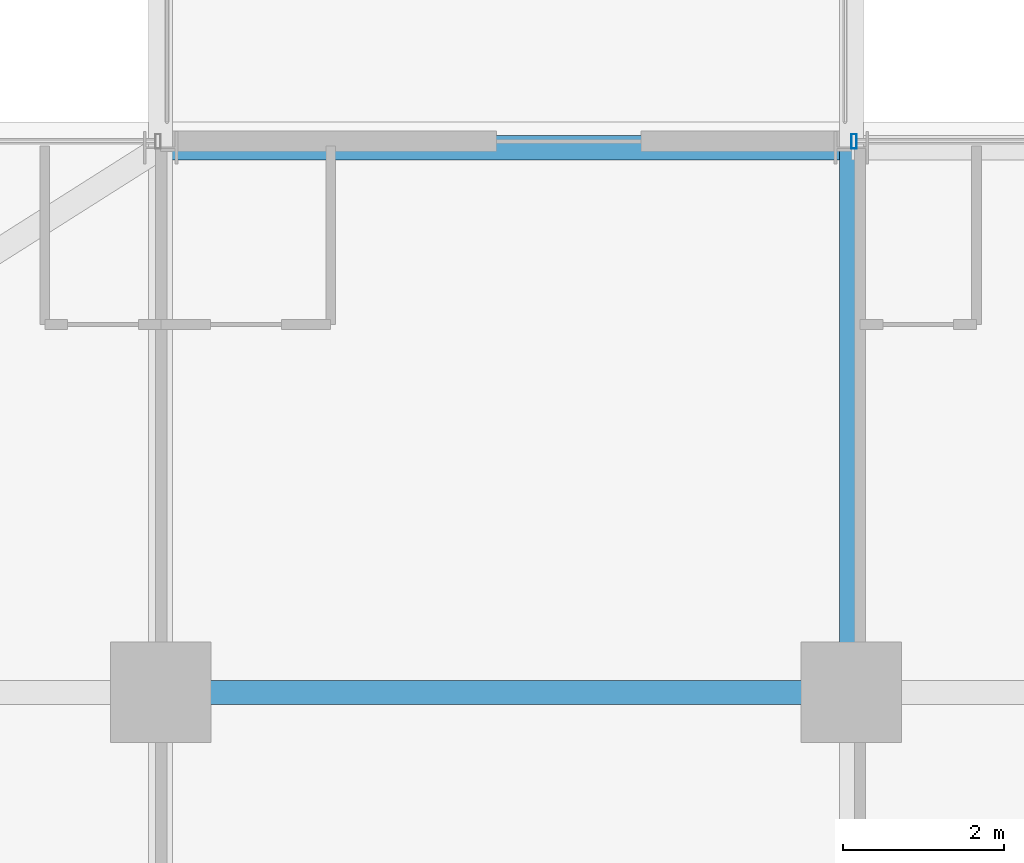
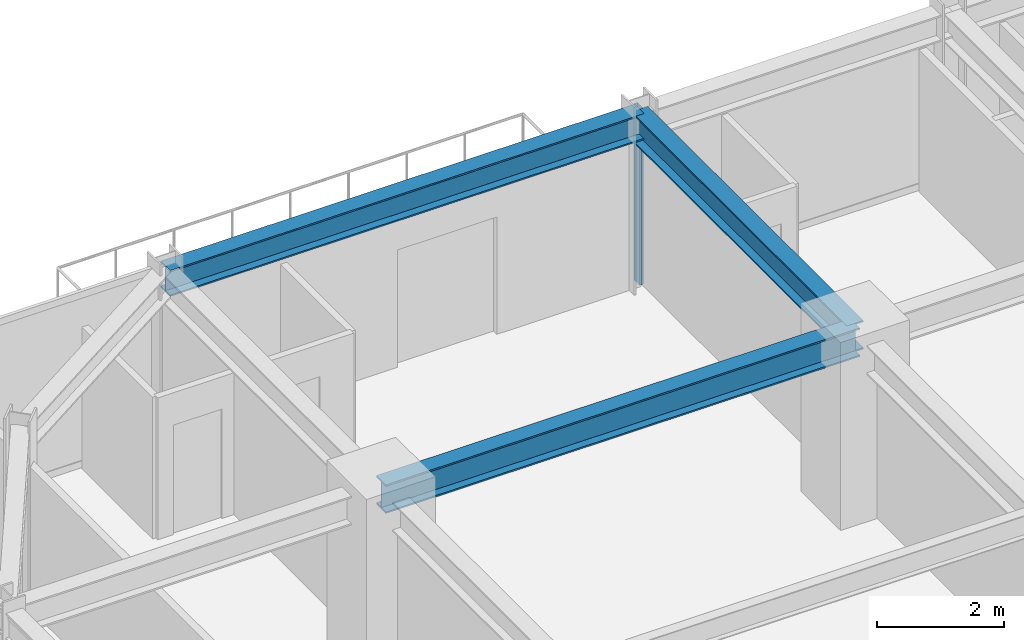
# One storey, part 19 of 34: 3 beams, 1 member, 1 element without a shape of its own.
"""IFC4 building model written with IfcOpenShell, lengths in metres."""

import ifcopenshell
import ifcopenshell.guid

model = None  # the IFC model being written
_history = None  # IfcOwnerHistory: only IFC2X3 demands one
_inside = {}  # id of a spatial element -> (the spatial element, [elements in it])
_under = {}  # id of a project, library or spatial element -> (it, [spatial elements below it])
_declared = {}  # id of a project -> (the project, [libraries it declares])
_typed = {}  # id of a type object -> (the type object, [elements of that type])
_made_of = {}  # id of a material, layer set ... -> (it, [elements and type objects made of it])


def new_model(schema):
    """Start an empty IFC model of exactly this schema.

    Asked for "IFC4X3", IfcOpenShell would pick the latest addendum, in which some entities
    have other attributes; the version numbers below select the first issue.
    IFC2X3 requires an IfcOwnerHistory on every rooted entity: one is made here for all.
    """
    global model, _history
    if schema == "IFC4X3":
        model = ifcopenshell.file(schema_version=(4, 3, 0, 0))
    else:
        model = ifcopenshell.file(schema=schema)
    _inside.clear()
    _under.clear()
    _declared.clear()
    _typed.clear()
    _made_of.clear()
    _history = None
    if model.schema == "IFC2X3":
        org = make("IfcOrganization", Name="unknown")
        user = make(
            "IfcPersonAndOrganization",
            ThePerson=make("IfcPerson", FamilyName="unknown"),
            TheOrganization=org,
        )
        app = make(
            "IfcApplication",
            ApplicationDeveloper=org,
            Version="unknown",
            ApplicationFullName="unknown",
            ApplicationIdentifier="unknown",
        )
        _history = make(
            "IfcOwnerHistory",
            OwningUser=user,
            OwningApplication=app,
            ChangeAction="ADDED",
            CreationDate=0,
        )
    return model


def make(cls, **values):
    """One entity of the class cls with the attributes given. An attribute that is None is left unset."""
    return model.create_entity(
        cls, **{name: value for name, value in values.items() if value is not None}
    )


def rooted(cls, **values):
    """An entity with a GlobalId (a new one), such as an element, a storey or a relation."""
    return make(cls, GlobalId=ifcopenshell.guid.new(), OwnerHistory=_history, **values)


def si_unit(unit_type, name, prefix=None):
    """IfcSIUnit, for example si_unit("LENGTHUNIT", "METRE", prefix="MILLI")."""
    return make("IfcSIUnit", UnitType=unit_type, Prefix=prefix, Name=name)


def assignment(units):
    """IfcUnitAssignment: the units of a project."""
    return None if units is None else make("IfcUnitAssignment", Units=units)


def point(xyz):
    """IfcCartesianPoint."""
    return None if xyz is None else make("IfcCartesianPoint", Coordinates=xyz)


def direction(xyz):
    """IfcDirection."""
    return None if xyz is None else make("IfcDirection", DirectionRatios=xyz)


def frame(location, z_axis=None, x_axis=None):
    """IfcAxis2Placement3D, a coordinate frame: its origin and axes. An axis left out is left unset."""
    return make(
        "IfcAxis2Placement3D",
        Location=point(location),
        Axis=direction(z_axis),
        RefDirection=direction(x_axis),
    )


def frame_2d(location, x_axis=None):
    """IfcAxis2Placement2D, a coordinate frame in the plane: its origin and x axis."""
    return make(
        "IfcAxis2Placement2D", Location=point(location), RefDirection=direction(x_axis)
    )


def origin():
    """The frame at (0, 0, 0) with its axes left unset."""
    return frame((0.0, 0.0, 0.0))


def origin_2d():
    """The frame at (0, 0) in the plane with its x axis left unset."""
    return frame_2d((0.0, 0.0))


def place(relative_to, where):
    """IfcLocalPlacement: puts the frame where relative to a parent placement (None: the world)."""
    return make(
        "IfcLocalPlacement", PlacementRelTo=relative_to, RelativePlacement=where
    )


def context(
    kind, dimensions, precision=None, world=None, true_north=None, identifier=None
):
    """IfcGeometricRepresentationContext, for example the 3D "Model" context."""
    return make(
        "IfcGeometricRepresentationContext",
        ContextIdentifier=identifier,
        ContextType=kind,
        CoordinateSpaceDimension=dimensions,
        Precision=precision,
        WorldCoordinateSystem=world,
        TrueNorth=true_north,
    )


def subcontext(parent, identifier, kind, view, scale=None):
    """IfcGeometricRepresentationSubContext, for example "Body" below "Model"."""
    return make(
        "IfcGeometricRepresentationSubContext",
        ContextIdentifier=identifier,
        ContextType=kind,
        ParentContext=parent,
        TargetScale=scale,
        TargetView=view,
    )


def project(units=None, contexts=None):
    """IfcProject with its units and contexts."""
    return rooted(
        "IfcProject",
        Name="project",
        RepresentationContexts=contexts,
        UnitsInContext=assignment(units),
    )


def spatial(cls, under=None, at=None, **own):
    """A site, building, storey or space (cls), placed at a placement, below another one or the project."""
    s = rooted(cls, ObjectPlacement=at, **own)
    if under is not None:
        _under.setdefault(under.id(), (under, []))[1].append(s)
    return s


def profile(cls, at=None, kind="AREA", **sizes):
    """A parametric profile (cls). Its sizes go by their IFC names, for example OverallWidth=200.0."""
    return make(cls, ProfileType=kind, Position=at, **sizes)


def hollow_rectangle(**sizes):
    """IfcRectangleHollowProfileDef."""
    return profile("IfcRectangleHollowProfileDef", **sizes)


def i_section(**sizes):
    """IfcIShapeProfileDef."""
    return profile("IfcIShapeProfileDef", **sizes)


def extrude(swept, where, along, depth):
    """IfcExtrudedAreaSolid: the profile swept, set in the frame where, extruded along a direction by depth."""
    return make(
        "IfcExtrudedAreaSolid",
        SweptArea=swept,
        Position=where,
        ExtrudedDirection=direction(along),
        Depth=depth,
    )


def shape(context_of_items, identifier, shape_type, items):
    """IfcShapeRepresentation: the items that make up one representation, for example the "Body"."""
    return make(
        "IfcShapeRepresentation",
        ContextOfItems=context_of_items,
        RepresentationIdentifier=identifier,
        RepresentationType=shape_type,
        Items=items,
    )


def source(mapping_origin, context_of_items, identifier, shape_type, items):
    """IfcRepresentationMap: a shape defined once, which mapped items show again and again."""
    return make(
        "IfcRepresentationMap",
        MappingOrigin=mapping_origin,
        MappedRepresentation=shape(context_of_items, identifier, shape_type, items),
    )


def transform(
    local_origin,
    x_axis=None,
    y_axis=None,
    z_axis=None,
    scale=None,
    scale2=None,
    scale3=None,
    uniform=True,
):
    """IfcCartesianTransformationOperator3D, or its non-uniform kind. x_axis, y_axis, z_axis: its Axis1, 2, 3."""
    if uniform:
        return make(
            "IfcCartesianTransformationOperator3D",
            Axis1=direction(x_axis),
            Axis2=direction(y_axis),
            LocalOrigin=point(local_origin),
            Scale=scale,
            Axis3=direction(z_axis),
        )
    return make(
        "IfcCartesianTransformationOperator3DnonUniform",
        Axis1=direction(x_axis),
        Axis2=direction(y_axis),
        LocalOrigin=point(local_origin),
        Scale=scale,
        Axis3=direction(z_axis),
        Scale2=scale2,
        Scale3=scale3,
    )


def mapped(mapping_source, mapping_target):
    """IfcMappedItem: shows the shape of a source again, moved by a transform."""
    return make(
        "IfcMappedItem", MappingSource=mapping_source, MappingTarget=mapping_target
    )


def material(Name=None, Category=None):
    """IfcMaterial."""
    return make("IfcMaterial", Name=Name, Category=Category)


def material_profile(
    of_material, cross_section, Name=None, Category=None, Priority=None
):
    """IfcMaterialProfile: a cross section and its material."""
    return make(
        "IfcMaterialProfile",
        Name=Name,
        Material=of_material,
        Profile=cross_section,
        Priority=Priority,
        Category=Category,
    )


def profile_set(profiles, Name=None, composite=None):
    """IfcMaterialProfileSet."""
    return make(
        "IfcMaterialProfileSet",
        Name=Name,
        MaterialProfiles=profiles,
        CompositeProfile=composite,
    )


def made_of(thing, what):
    """Note that an element or type object is made of a material, layer set ...; save() writes the relation."""
    if what is not None:
        _made_of.setdefault(what.id(), (what, []))[1].append(thing)
    return thing


def type_object(cls, material=None, **own):
    """A type object (cls), such as IfcWallType, which elements share."""
    return made_of(rooted(cls, **own), material)


def element(
    cls,
    number,
    at=None,
    inside=None,
    cuts=None,
    type_object=None,
    material=None,
    context=None,
    identifier="Body",
    shape_type=None,
    held_by="IfcProductDefinitionShape",
    body=None,
    shapes=None,
    **own,
):
    """One element of the class cls, such as IfcWall. Its Tag is "e" and its number.

    at: its placement. inside: the storey or other place that contains it. cuts: it is an
    opening in that element (IfcRelVoidsElement). A single representation is given by context,
    identifier, shape_type and body (its items); several are given by shapes. held_by: the class
    of the entity that holds the representations. save() writes the other relations.
    """
    e = rooted(cls, Tag="e%d" % number, ObjectPlacement=at, **own)
    if body is not None:
        shapes = [shape(context, identifier, shape_type, body)]
    if shapes is not None:
        e.Representation = make(held_by, Representations=shapes)
    if inside is not None:
        _inside.setdefault(inside.id(), (inside, []))[1].append(e)
    if cuts is not None:
        rooted(
            "IfcRelVoidsElement", RelatingBuildingElement=cuts, RelatedOpeningElement=e
        )
    if type_object is not None:
        _typed.setdefault(type_object.id(), (type_object, []))[1].append(e)
    return made_of(e, material)


def aggregate(whole, parts):
    """IfcRelAggregates: a whole, such as a stair, and the parts it consists of."""
    return rooted("IfcRelAggregates", RelatingObject=whole, RelatedObjects=parts)


def save(model, path):
    """Write the relations noted so far, then the file.

    IfcRelAggregates (storeys below a building ...), IfcRelContainedInSpatialStructure (elements
    in a storey), IfcRelDefinesByType, IfcRelAssociatesMaterial and IfcRelDeclares: one each for
    every whole, place, type object, material and project.
    """
    for whole, parts in _under.values():
        aggregate(whole, parts)
    for where, things in _inside.values():
        rooted(
            "IfcRelContainedInSpatialStructure",
            RelatedElements=things,
            RelatingStructure=where,
        )
    for kind, things in _typed.values():
        rooted("IfcRelDefinesByType", RelatedObjects=things, RelatingType=kind)
    for what, things in _made_of.values():
        rooted("IfcRelAssociatesMaterial", RelatedObjects=things, RelatingMaterial=what)
    for by, libraries in _declared.values():
        rooted("IfcRelDeclares", RelatingContext=by, RelatedDefinitions=libraries)
    model.write(path)


model = new_model("IFC4")

# Units and contexts
model_context = context("Model", 3, precision=1e-05, world=origin(), true_north=direction((0.0, 1.0)))
body_context = subcontext(model_context, "Body", "Model", "MODEL_VIEW")
ifc_project = project(units=[si_unit("LENGTHUNIT", "METRE"), si_unit("AREAUNIT", "SQUARE_METRE"), si_unit("VOLUMEUNIT", "CUBIC_METRE"), si_unit("PLANEANGLEUNIT", "RADIAN"), si_unit("MASSUNIT", "GRAM", prefix="KILO")], contexts=[model_context])

# Site, building, storey
site_placement = place(None, origin())
site = spatial("IfcSite", under=ifc_project, at=site_placement, CompositionType="ELEMENT")
building_placement = place(site_placement, origin())
building = spatial("IfcBuilding", under=site, at=building_placement, Name="Nahalor Promenade Grand Hotel", CompositionType="ELEMENT")
storey_placement = place(building_placement, frame((0.0, 0.0, 128.449951171875)))
storey = spatial("IfcBuildingStorey", under=building, at=storey_placement, Name="L32", CompositionType="ELEMENT", Elevation=128.449951171875)

# Beams
ifc_material_1 = material(Name="Steel S355JR", Category="steel")
ifc_material_profile_1 = material_profile(ifc_material_1, i_section(OverallWidth=0.3, OverallDepth=0.5, WebThickness=0.0145, FlangeThickness=0.028, at=origin_2d()), Name="HEB 500")
ifc_profile_set_1 = profile_set([ifc_material_profile_1], Name="Steel S355JR")
beam_type_1 = type_object("IfcBeamType", Name="Beam-Spandrel-HEB500", PredefinedType="SPANDREL", material=ifc_profile_set_1)
shared_shape_1 = source(origin(), body_context, "Body", "SweptSolid", [
    extrude(i_section(OverallWidth=0.3, OverallDepth=0.5, WebThickness=0.0145, FlangeThickness=0.028, at=origin_2d()), origin(), (0.0, 0.0, 1.0), 8.60009765625),
])
beam_1_placement = place(storey_placement, frame((-17.0, 23.780029296875, 3.130126953125), z_axis=(1.0, 0.0, 0.0), x_axis=(0.0, 1.0, 0.0)))
element("IfcBeam", 1, at=beam_1_placement, inside=storey, type_object=beam_type_1, Name="BM-L32-SP-N-0", PredefinedType="SPANDREL", context=body_context, shape_type="MappedRepresentation", body=[
    mapped(shared_shape_1, transform((0.0, 0.0, 0.0), scale=1.0)),
])
ifc_material_profile_2 = material_profile(ifc_material_1, i_section(OverallWidth=0.3, OverallDepth=0.55, WebThickness=0.015, FlangeThickness=0.029, at=origin_2d()), Name="HEB 550")
ifc_profile_set_2 = profile_set([ifc_material_profile_2], Name="Steel S355JR")
beam_type_2 = type_object("IfcBeamType", Name="Beam-Girder-HEB550", PredefinedType="BEAM", material=ifc_profile_set_2)
shared_shape_2 = source(origin(), body_context, "Body", "SweptSolid", [
    extrude(i_section(OverallWidth=0.3, OverallDepth=0.55, WebThickness=0.015, FlangeThickness=0.029, at=origin_2d()), origin(), (0.0, 0.0, 1.0), 6.780029296875),
])
beam_2_placement = place(storey_placement, frame((-8.39990234375, 17.0, 3.10498046875), z_axis=(0.0, 1.0, 0.0), x_axis=(-1.0, 0.0, 0.0)))
element("IfcBeam", 2, at=beam_2_placement, inside=storey, type_object=beam_type_2, Name="BM-L32-GY-1-4", PredefinedType="BEAM", context=body_context, shape_type="MappedRepresentation", body=[
    mapped(shared_shape_2, transform((0.0, 0.0, 0.0), scale=1.0)),
])
shared_shape_3 = source(origin(), body_context, "Body", "SweptSolid", [
    extrude(i_section(OverallWidth=0.3, OverallDepth=0.55, WebThickness=0.015, FlangeThickness=0.029, at=origin_2d()), origin(), (0.0, 0.0, 1.0), 8.60009765625),
])
beam_3_placement = place(storey_placement, frame((-17.0, 17.0, 3.10498046875), z_axis=(1.0, 0.0, 0.0), x_axis=(0.0, 1.0, 0.0)))
element("IfcBeam", 3, at=beam_3_placement, inside=storey, type_object=beam_type_2, Name="BM-L32-GX-3-1", PredefinedType="BEAM", context=body_context, shape_type="MappedRepresentation", body=[
    mapped(shared_shape_3, transform((0.0, 0.0, 0.0), scale=1.0)),
])

# Curtain wall, member
ifc_material_2 = material(Name="Anodised Bronze Aluminium EN AW-6063 T6", Category="aluminium")
curtain_wall_type = type_object("IfcCurtainWallType", Name="CW2 Typical Hotel Flush Bronze Unitised Curtain Wall", PredefinedType="USERDEFINED", material=ifc_material_2)
curtain_wall_placement = place(storey_placement, origin())
curtain_wall = element("IfcCurtainWall", 4, at=curtain_wall_placement, inside=storey, type_object=curtain_wall_type, Name="L32 Curtain Wall CW-L32-N-3", ObjectType="UNITISED_CURTAIN_WALL", PredefinedType="USERDEFINED")
ifc_material_profile_3 = material_profile(ifc_material_2, hollow_rectangle(XDim=0.065, YDim=0.18, WallThickness=0.004, at=origin_2d()), Name="CWM 65x180x4")
ifc_profile_set_3 = profile_set([ifc_material_profile_3], Name="Anodised Bronze Aluminium EN AW-6063 T6")
member_type = type_object("IfcMemberType", Name="CWM2 Typical Bronze Mullion 65x180", PredefinedType="MULLION", material=ifc_profile_set_3)
shared_shape_4 = source(origin(), body_context, "Body", "SweptSolid", [
    extrude(hollow_rectangle(XDim=0.065, YDim=0.18, WallThickness=0.004, at=origin_2d()), origin(), (0.0, 0.0, 1.0), 3.380126953125),
])
member_placement = place(storey_placement, frame((-8.367431640625, 23.860107421875, 0.0), z_axis=(0.0, 0.0, 1.0), x_axis=(1.0, 0.0, 0.0)))
member = element("IfcMember", 5, at=member_placement, type_object=member_type, Name="CW-L32-N-3 Mullion 0", PredefinedType="MULLION", context=body_context, shape_type="MappedRepresentation", body=[
    mapped(shared_shape_4, transform((0.0, 0.0, 0.0), scale=1.0)),
])
aggregate(curtain_wall, [member])

save(model, "model.ifc")
